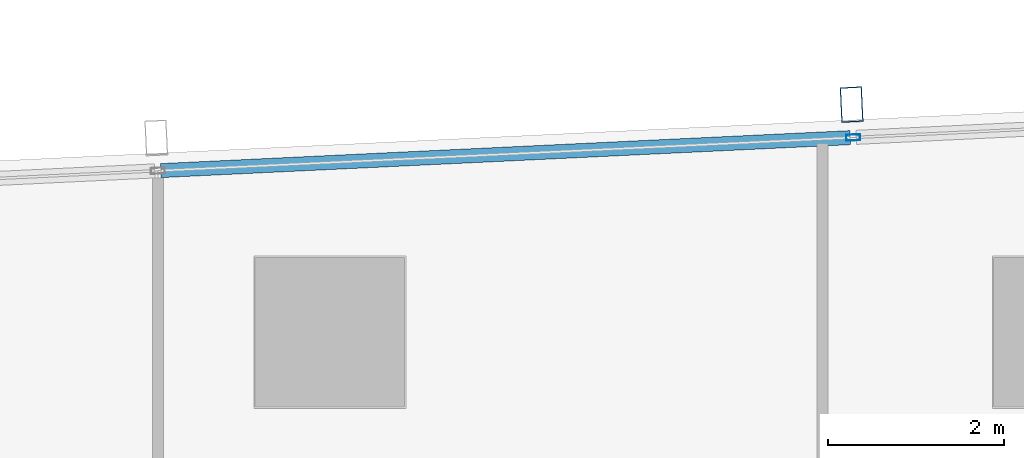
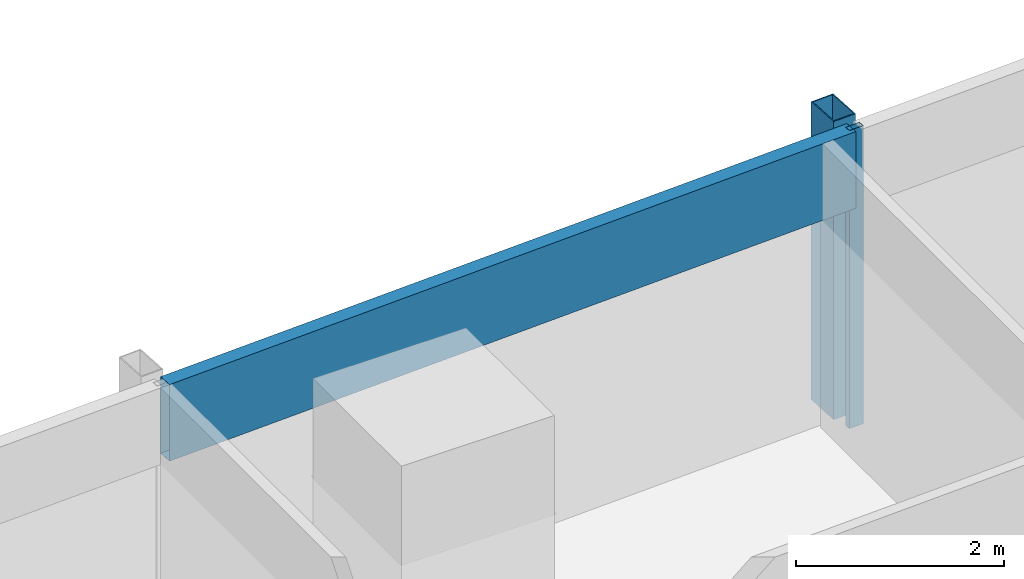
# One storey, part 16 of 34: 3 members, 1 element without a shape of its own.
"""IFC4 building model written with IfcOpenShell, lengths in metres."""

import ifcopenshell
import ifcopenshell.guid

model = None  # the IFC model being written
_history = None  # IfcOwnerHistory: only IFC2X3 demands one
_inside = {}  # id of a spatial element -> (the spatial element, [elements in it])
_under = {}  # id of a project, library or spatial element -> (it, [spatial elements below it])
_declared = {}  # id of a project -> (the project, [libraries it declares])
_typed = {}  # id of a type object -> (the type object, [elements of that type])
_made_of = {}  # id of a material, layer set ... -> (it, [elements and type objects made of it])


def new_model(schema):
    """Start an empty IFC model of exactly this schema.

    Asked for "IFC4X3", IfcOpenShell would pick the latest addendum, in which some entities
    have other attributes; the version numbers below select the first issue.
    IFC2X3 requires an IfcOwnerHistory on every rooted entity: one is made here for all.
    """
    global model, _history
    if schema == "IFC4X3":
        model = ifcopenshell.file(schema_version=(4, 3, 0, 0))
    else:
        model = ifcopenshell.file(schema=schema)
    _inside.clear()
    _under.clear()
    _declared.clear()
    _typed.clear()
    _made_of.clear()
    _history = None
    if model.schema == "IFC2X3":
        org = make("IfcOrganization", Name="unknown")
        user = make(
            "IfcPersonAndOrganization",
            ThePerson=make("IfcPerson", FamilyName="unknown"),
            TheOrganization=org,
        )
        app = make(
            "IfcApplication",
            ApplicationDeveloper=org,
            Version="unknown",
            ApplicationFullName="unknown",
            ApplicationIdentifier="unknown",
        )
        _history = make(
            "IfcOwnerHistory",
            OwningUser=user,
            OwningApplication=app,
            ChangeAction="ADDED",
            CreationDate=0,
        )
    return model


def make(cls, **values):
    """One entity of the class cls with the attributes given. An attribute that is None is left unset."""
    return model.create_entity(
        cls, **{name: value for name, value in values.items() if value is not None}
    )


def rooted(cls, **values):
    """An entity with a GlobalId (a new one), such as an element, a storey or a relation."""
    return make(cls, GlobalId=ifcopenshell.guid.new(), OwnerHistory=_history, **values)


def si_unit(unit_type, name, prefix=None):
    """IfcSIUnit, for example si_unit("LENGTHUNIT", "METRE", prefix="MILLI")."""
    return make("IfcSIUnit", UnitType=unit_type, Prefix=prefix, Name=name)


def assignment(units):
    """IfcUnitAssignment: the units of a project."""
    return None if units is None else make("IfcUnitAssignment", Units=units)


def point(xyz):
    """IfcCartesianPoint."""
    return None if xyz is None else make("IfcCartesianPoint", Coordinates=xyz)


def direction(xyz):
    """IfcDirection."""
    return None if xyz is None else make("IfcDirection", DirectionRatios=xyz)


def frame(location, z_axis=None, x_axis=None):
    """IfcAxis2Placement3D, a coordinate frame: its origin and axes. An axis left out is left unset."""
    return make(
        "IfcAxis2Placement3D",
        Location=point(location),
        Axis=direction(z_axis),
        RefDirection=direction(x_axis),
    )


def frame_2d(location, x_axis=None):
    """IfcAxis2Placement2D, a coordinate frame in the plane: its origin and x axis."""
    return make(
        "IfcAxis2Placement2D", Location=point(location), RefDirection=direction(x_axis)
    )


def origin():
    """The frame at (0, 0, 0) with its axes left unset."""
    return frame((0.0, 0.0, 0.0))


def origin_2d():
    """The frame at (0, 0) in the plane with its x axis left unset."""
    return frame_2d((0.0, 0.0))


def place(relative_to, where):
    """IfcLocalPlacement: puts the frame where relative to a parent placement (None: the world)."""
    return make(
        "IfcLocalPlacement", PlacementRelTo=relative_to, RelativePlacement=where
    )


def context(
    kind, dimensions, precision=None, world=None, true_north=None, identifier=None
):
    """IfcGeometricRepresentationContext, for example the 3D "Model" context."""
    return make(
        "IfcGeometricRepresentationContext",
        ContextIdentifier=identifier,
        ContextType=kind,
        CoordinateSpaceDimension=dimensions,
        Precision=precision,
        WorldCoordinateSystem=world,
        TrueNorth=true_north,
    )


def subcontext(parent, identifier, kind, view, scale=None):
    """IfcGeometricRepresentationSubContext, for example "Body" below "Model"."""
    return make(
        "IfcGeometricRepresentationSubContext",
        ContextIdentifier=identifier,
        ContextType=kind,
        ParentContext=parent,
        TargetScale=scale,
        TargetView=view,
    )


def project(units=None, contexts=None):
    """IfcProject with its units and contexts."""
    return rooted(
        "IfcProject",
        Name="project",
        RepresentationContexts=contexts,
        UnitsInContext=assignment(units),
    )


def spatial(cls, under=None, at=None, **own):
    """A site, building, storey or space (cls), placed at a placement, below another one or the project."""
    s = rooted(cls, ObjectPlacement=at, **own)
    if under is not None:
        _under.setdefault(under.id(), (under, []))[1].append(s)
    return s


def profile(cls, at=None, kind="AREA", **sizes):
    """A parametric profile (cls). Its sizes go by their IFC names, for example OverallWidth=200.0."""
    return make(cls, ProfileType=kind, Position=at, **sizes)


def hollow_rectangle(**sizes):
    """IfcRectangleHollowProfileDef."""
    return profile("IfcRectangleHollowProfileDef", **sizes)


def extrude(swept, where, along, depth):
    """IfcExtrudedAreaSolid: the profile swept, set in the frame where, extruded along a direction by depth."""
    return make(
        "IfcExtrudedAreaSolid",
        SweptArea=swept,
        Position=where,
        ExtrudedDirection=direction(along),
        Depth=depth,
    )


def shape(context_of_items, identifier, shape_type, items):
    """IfcShapeRepresentation: the items that make up one representation, for example the "Body"."""
    return make(
        "IfcShapeRepresentation",
        ContextOfItems=context_of_items,
        RepresentationIdentifier=identifier,
        RepresentationType=shape_type,
        Items=items,
    )


def material(Name=None, Category=None):
    """IfcMaterial."""
    return make("IfcMaterial", Name=Name, Category=Category)


def material_profile(
    of_material, cross_section, Name=None, Category=None, Priority=None
):
    """IfcMaterialProfile: a cross section and its material."""
    return make(
        "IfcMaterialProfile",
        Name=Name,
        Material=of_material,
        Profile=cross_section,
        Priority=Priority,
        Category=Category,
    )


def profile_set(profiles, Name=None, composite=None):
    """IfcMaterialProfileSet."""
    return make(
        "IfcMaterialProfileSet",
        Name=Name,
        MaterialProfiles=profiles,
        CompositeProfile=composite,
    )


def made_of(thing, what):
    """Note that an element or type object is made of a material, layer set ...; save() writes the relation."""
    if what is not None:
        _made_of.setdefault(what.id(), (what, []))[1].append(thing)
    return thing


def type_object(cls, material=None, **own):
    """A type object (cls), such as IfcWallType, which elements share."""
    return made_of(rooted(cls, **own), material)


def element(
    cls,
    number,
    at=None,
    inside=None,
    cuts=None,
    type_object=None,
    material=None,
    context=None,
    identifier="Body",
    shape_type=None,
    held_by="IfcProductDefinitionShape",
    body=None,
    shapes=None,
    **own,
):
    """One element of the class cls, such as IfcWall. Its Tag is "e" and its number.

    at: its placement. inside: the storey or other place that contains it. cuts: it is an
    opening in that element (IfcRelVoidsElement). A single representation is given by context,
    identifier, shape_type and body (its items); several are given by shapes. held_by: the class
    of the entity that holds the representations. save() writes the other relations.
    """
    e = rooted(cls, Tag="e%d" % number, ObjectPlacement=at, **own)
    if body is not None:
        shapes = [shape(context, identifier, shape_type, body)]
    if shapes is not None:
        e.Representation = make(held_by, Representations=shapes)
    if inside is not None:
        _inside.setdefault(inside.id(), (inside, []))[1].append(e)
    if cuts is not None:
        rooted(
            "IfcRelVoidsElement", RelatingBuildingElement=cuts, RelatedOpeningElement=e
        )
    if type_object is not None:
        _typed.setdefault(type_object.id(), (type_object, []))[1].append(e)
    return made_of(e, material)


def aggregate(whole, parts):
    """IfcRelAggregates: a whole, such as a stair, and the parts it consists of."""
    return rooted("IfcRelAggregates", RelatingObject=whole, RelatedObjects=parts)


def save(model, path):
    """Write the relations noted so far, then the file.

    IfcRelAggregates (storeys below a building ...), IfcRelContainedInSpatialStructure (elements
    in a storey), IfcRelDefinesByType, IfcRelAssociatesMaterial and IfcRelDeclares: one each for
    every whole, place, type object, material and project.
    """
    for whole, parts in _under.values():
        aggregate(whole, parts)
    for where, things in _inside.values():
        rooted(
            "IfcRelContainedInSpatialStructure",
            RelatedElements=things,
            RelatingStructure=where,
        )
    for kind, things in _typed.values():
        rooted("IfcRelDefinesByType", RelatedObjects=things, RelatingType=kind)
    for what, things in _made_of.values():
        rooted("IfcRelAssociatesMaterial", RelatedObjects=things, RelatingMaterial=what)
    for by, libraries in _declared.values():
        rooted("IfcRelDeclares", RelatingContext=by, RelatedDefinitions=libraries)
    model.write(path)


model = new_model("IFC4")

# Units and contexts
model_context = context("Model", 3, precision=1e-05, world=origin(), true_north=direction((0.0, 1.0)))
body_context = subcontext(model_context, "Body", "Model", "MODEL_VIEW")
ifc_project = project(units=[si_unit("LENGTHUNIT", "METRE"), si_unit("AREAUNIT", "SQUARE_METRE"), si_unit("VOLUMEUNIT", "CUBIC_METRE"), si_unit("PLANEANGLEUNIT", "RADIAN"), si_unit("MASSUNIT", "GRAM", prefix="KILO")], contexts=[model_context])

# Site, building, storey
site_placement = place(None, origin())
site = spatial("IfcSite", under=ifc_project, at=site_placement, CompositionType="ELEMENT")
building_placement = place(site_placement, origin())
building = spatial("IfcBuilding", under=site, at=building_placement, Name="Rekha Terrace Tower", CompositionType="ELEMENT")
storey_placement = place(building_placement, frame((0.0, 0.0, 176.449951171875)))
storey = spatial("IfcBuildingStorey", under=building, at=storey_placement, Name="L44", CompositionType="ELEMENT", Elevation=176.449951171875)

# Curtain wall, members
ifc_material_1 = material(Name="Aluminium framing", Category="aluminium")
curtain_wall_type = type_object("IfcCurtainWallType", Name="CW3 north unitised glazing", PredefinedType="USERDEFINED", material=ifc_material_1)
curtain_wall_placement = place(storey_placement, origin())
curtain_wall = element("IfcCurtainWall", 1, at=curtain_wall_placement, inside=storey, type_object=curtain_wall_type, Name="CW3 unitised curtain wall", ObjectType="UNITISED CURTAIN WALL", PredefinedType="USERDEFINED")
ifc_material_2 = material(Name="Steel S355 with fluorocarbon finish", Category="steel")
ifc_material_profile_1 = material_profile(ifc_material_2, hollow_rectangle(XDim=0.25, YDim=0.39990234375, WallThickness=0.012451171875, at=origin_2d()), Name="RHS400x250x12.5")
ifc_profile_set_1 = profile_set([ifc_material_profile_1], Name="Steel S355 with fluorocarbon finish")
member_type_1 = type_object("IfcMemberType", Name="BL1 facade blade RHS 400 x 250", PredefinedType="USERDEFINED", material=ifc_profile_set_1)
member_1_placement = place(storey_placement, frame((22.734130859375, 61.389404296875, 0.0), z_axis=(0.0, 0.0, 1.0), x_axis=(-0.998858913274, -0.04775846913, 0.0)))
member_1 = element("IfcMember", 2, at=member_1_placement, type_object=member_type_1, Name="Facade blade", ObjectType="FACADE BLADE", PredefinedType="USERDEFINED", context=body_context, shape_type="SweptSolid", body=[
    extrude(hollow_rectangle(XDim=0.25, YDim=0.39990234375, WallThickness=0.012451171875, at=origin_2d()), origin(), (0.0, 0.0, 1.0), 3.5),
])
ifc_material_3 = material(Name="Aluminium mullion section", Category="aluminium")
ifc_material_profile_2 = material_profile(ifc_material_3, hollow_rectangle(XDim=0.070068359375, YDim=0.159912109375, WallThickness=0.00390625, at=origin_2d()), Name="AL RHS 70x160")
ifc_profile_set_2 = profile_set([ifc_material_profile_2], Name="Aluminium mullion section")
member_type_2 = type_object("IfcMemberType", Name="CW3 mullion RHS 70 x 160", PredefinedType="MULLION", material=ifc_profile_set_2)
member_2_placement = place(storey_placement, frame((22.751953125, 61.014892578125, 0.0), z_axis=(0.0, 0.0, 1.0), x_axis=(0.047758616983, -0.998858906204, 0.0)))
member_2 = element("IfcMember", 3, at=member_2_placement, type_object=member_type_2, Name="CW3 mullion 4", PredefinedType="MULLION", context=body_context, shape_type="SweptSolid", body=[
    extrude(hollow_rectangle(XDim=0.070068359375, YDim=0.159912109375, WallThickness=0.00390625, at=origin_2d()), origin(), (0.0, 0.0, 1.0), 3.5),
])
ifc_material_4 = material(Name="Insulated aluminium spandrel box", Category="aluminium")
ifc_material_profile_3 = material_profile(ifc_material_4, hollow_rectangle(XDim=0.159912109375, YDim=0.89990234375, WallThickness=0.0029296875, at=origin_2d()), Name="AL SPANDREL BOX 160x900")
ifc_profile_set_3 = profile_set([ifc_material_profile_3], Name="Insulated aluminium spandrel box")
member_type_3 = type_object("IfcMemberType", Name="CW3 spandrel transom 160 x 900", PredefinedType="USERDEFINED", material=ifc_profile_set_3)
member_3_placement = place(storey_placement, frame((22.717041015625, 61.01318359375, 3.050048828125), z_axis=(-0.998859252362, -0.047751376635, 0.0), x_axis=(0.047751376635, -0.998859252362, 0.0)))
member_3 = element("IfcMember", 4, at=member_3_placement, type_object=member_type_3, Name="CW3 spandrel transom 4", ObjectType="TRANSOM", PredefinedType="USERDEFINED", context=body_context, shape_type="SweptSolid", body=[
    extrude(hollow_rectangle(XDim=0.159912109375, YDim=0.89990234375, WallThickness=0.0029296875, at=origin_2d()), origin(), (0.0, 0.0, 1.0), 7.84814453125),
])
aggregate(curtain_wall, [member_2, member_3, member_1])

save(model, "model.ifc")
